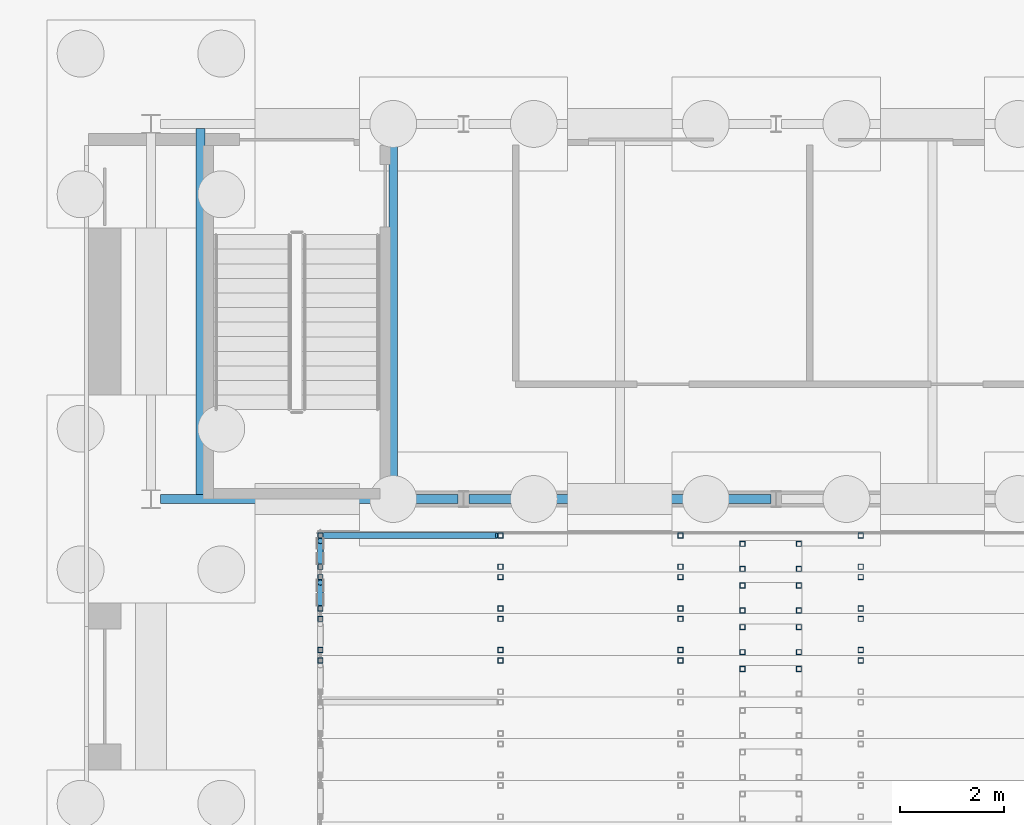
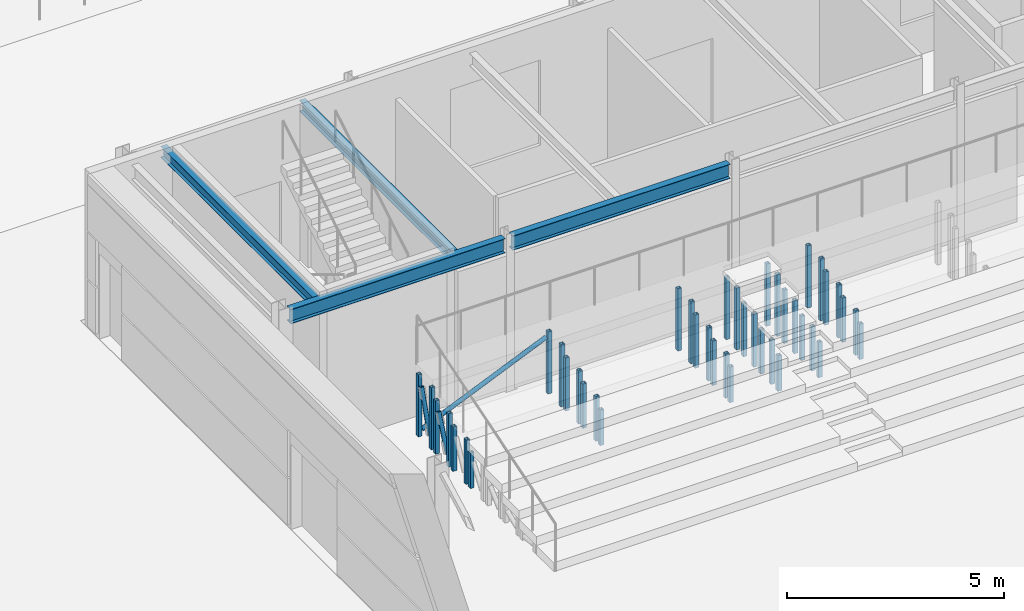
# One storey, part 44 of 139: 45 members, 4 beams.
"""IFC4 building model written with IfcOpenShell, lengths in metres."""

from ifc_helpers import new_model, si_unit, direction, frame, origin, origin_2d, place, context, subcontext, project, spatial, hollow_rectangle, hollow_circle, i_section, extrude, material, material_profile, profile_set, type_object, element, save


model = new_model("IFC4")

# Units and contexts
model_context = context("Model", 3, precision=1e-05, world=origin(), true_north=direction((0.0, 1.0)))
body_context = subcontext(model_context, "Body", "Model", "MODEL_VIEW")
ifc_project = project(units=[si_unit("LENGTHUNIT", "METRE"), si_unit("AREAUNIT", "SQUARE_METRE"), si_unit("VOLUMEUNIT", "CUBIC_METRE"), si_unit("PLANEANGLEUNIT", "RADIAN"), si_unit("MASSUNIT", "GRAM", prefix="KILO")], contexts=[model_context])

# Site, building, storey
site_placement = place(None, origin())
site = spatial("IfcSite", under=ifc_project, at=site_placement, CompositionType="ELEMENT")
building_placement = place(site_placement, origin())
building = spatial("IfcBuilding", under=site, at=building_placement, Name="Verrick Yard Athletic Hall", CompositionType="ELEMENT")
storey_placement = place(building_placement, origin())
storey = spatial("IfcBuildingStorey", under=building, at=storey_placement, Name="L00", CompositionType="ELEMENT", Elevation=0.0)

# Beams
ifc_material_1 = material(Name="Structural steel 350W (CSA G40.21)", Category="steel")
ifc_material_profile_1 = material_profile(ifc_material_1, i_section(OverallWidth=0.177978515625, OverallDepth=0.406982421875, WebThickness=0.0078125, FlangeThickness=0.0126953125, at=origin_2d()), Name="W410x60")
ifc_profile_set_1 = profile_set([ifc_material_profile_1], Name="Structural steel 350W (CSA G40.21)")
beam_type_1 = type_object("IfcBeamType", Name="HB girder W410x60", PredefinedType="BEAM", material=ifc_profile_set_1)
beam_1_placement = place(storey_placement, frame((121.784423828125, 100.800048828125, 4.04638671875), z_axis=(1.0, 0.0, 0.0), x_axis=(0.0, 1.0, 0.0)))
element("IfcBeam", 1, at=beam_1_placement, inside=storey, type_object=beam_type_1, Name="HB-GB-A-L01-S1", PredefinedType="BEAM", context=body_context, shape_type="SweptSolid", body=[
    extrude(i_section(OverallWidth=0.177978515625, OverallDepth=0.406982421875, WebThickness=0.0078125, FlangeThickness=0.0126953125, at=origin_2d()), origin(), (0.0, 0.0, 1.0), 5.713134765625),
])
beam_2_placement = place(storey_placement, frame((127.702392578125, 100.800048828125, 4.04638671875), z_axis=(1.0, 0.0, 0.0), x_axis=(0.0, 1.0, 0.0)))
element("IfcBeam", 2, at=beam_2_placement, inside=storey, type_object=beam_type_1, Name="HB-GB-A-L01-S2", PredefinedType="BEAM", context=body_context, shape_type="SweptSolid", body=[
    extrude(i_section(OverallWidth=0.177978515625, OverallDepth=0.406982421875, WebThickness=0.0078125, FlangeThickness=0.0126953125, at=origin_2d()), origin(), (0.0, 0.0, 1.0), 5.795166015625),
])

# Members
ifc_material_2 = material(Name="Structural steel HSS Class C 350W (CSA G40.20/G40.21)", Category="steel")
ifc_material_profile_2 = material_profile(ifc_material_2, hollow_circle(Radius=0.05712890625, WallThickness=0.00634765625, at=origin_2d()), Name="HSS114x6.4")
ifc_profile_set_2 = profile_set([ifc_material_profile_2], Name="Structural steel HSS Class C 350W (CSA G40.20/G40.21)")
member_type_1 = type_object("IfcMemberType", Name="HB roof brace HSS114x6.4", PredefinedType="BRACE", material=ifc_profile_set_2)
member_1_placement = place(storey_placement, frame((124.850830078125, 98.803466796875, 0.277099609375), z_axis=(0.0, 0.383768953832, 0.923429147295), x_axis=(-1.0, 0.0, 0.0)))
element("IfcMember", 3, at=member_1_placement, inside=storey, type_object=member_type_1, Name="HB-BRS-RSA1-a7", PredefinedType="BRACE", context=body_context, shape_type="SweptSolid", body=[
    extrude(hollow_circle(Radius=0.05712890625, WallThickness=0.00634765625, at=origin_2d()), origin(), (0.0, 0.0, 1.0), 1.024169921875),
])
member_2_placement = place(storey_placement, frame((124.850830078125, 99.604736328125, 0.30712890625), z_axis=(0.0, 0.325057042805, 0.945694410961), x_axis=(-1.0, 0.0, 0.0)))
element("IfcMember", 4, at=member_2_placement, inside=storey, type_object=member_type_1, Name="HB-BRS-RSA1-a8", PredefinedType="BRACE", context=body_context, shape_type="SweptSolid", body=[
    extrude(hollow_circle(Radius=0.05712890625, WallThickness=0.00634765625, at=origin_2d()), origin(), (0.0, 0.0, 1.0), 1.200927734375),
])
member_3_placement = place(storey_placement, frame((124.92431640625, 100.10009765625, 0.15966796875), z_axis=(0.917982276366, 0.0, 0.396621406732), x_axis=(0.0, 1.0, 0.0)))
element("IfcMember", 5, at=member_3_placement, inside=storey, type_object=member_type_1, Name="HB-BRL-RSA1-a8", PredefinedType="BRACE", context=body_context, shape_type="SweptSolid", body=[
    extrude(hollow_circle(Radius=0.05712890625, WallThickness=0.00634765625, at=origin_2d()), origin(), (0.0, 0.0, 1.0), 3.607177734375),
])
ifc_material_profile_3 = material_profile(ifc_material_2, hollow_rectangle(XDim=0.1015625, YDim=0.1015625, WallThickness=0.00634765625, at=origin_2d()), Name="HSS102x102x6.4")
ifc_profile_set_3 = profile_set([ifc_material_profile_3], Name="Structural steel HSS Class C 350W (CSA G40.20/G40.21)")
member_type_2 = type_object("IfcMemberType", Name="HB seating post HSS102x102x6.4", PredefinedType="POST", material=ifc_profile_set_3)
for number, where, z_axis, x_axis, name in (
    (6, (132.956298828125, 97.5400390625, 0.0), (0.0, 0.0, 1.0), (0.0, 1.0, 0.0), "HB-SP-RSA1-A1S5c"),
    (7, (134.036376953125, 97.5400390625, 0.0), (0.0, 0.0, 1.0), (0.0, 1.0, 0.0), "HB-SP-RSA1-A1S5d"),
    (8, (124.850830078125, 97.699951171875, 0.0), (0.0, 0.0, 1.0), (0.0, 1.0, 0.0), "HB-SP-RSA1-T5b1"),
    (9, (128.30908203125, 97.699951171875, 0.0), (0.0, 0.0, 1.0), (0.0, 1.0, 0.0), "HB-SP-RSA1-T5b2"),
    (10, (131.76708984375, 97.699951171875, 0.0), (0.0, 0.0, 1.0), (0.0, 1.0, 0.0), "HB-SP-RSA1-T5b3"),
    (11, (135.225341796875, 97.699951171875, 0.0), (0.0, 0.0, 1.0), (0.0, 1.0, 0.0), "HB-SP-RSA1-T5b4"),
):
    element("IfcMember", number, at=place(storey_placement, frame(where, z_axis=z_axis, x_axis=x_axis)), inside=storey, type_object=member_type_2, Name=name, PredefinedType="POST", context=body_context, shape_type="SweptSolid", body=[
        extrude(hollow_rectangle(XDim=0.1015625, YDim=0.1015625, WallThickness=0.00634765625, at=origin_2d()), origin(), (0.0, 0.0, 1.0), 1.0),
    ])
for number, where, z_axis, x_axis, name in (
    (12, (132.956298828125, 97.860107421875, 0.0), (0.0, 0.0, 1.0), (0.0, 1.0, 0.0), "HB-SP-RSA1-A1S6a"),
    (13, (134.036376953125, 97.860107421875, 0.0), (0.0, 0.0, 1.0), (0.0, 1.0, 0.0), "HB-SP-RSA1-A1S6b"),
    (14, (132.956298828125, 98.340087890625, 0.0), (0.0, 0.0, 1.0), (0.0, 1.0, 0.0), "HB-SP-RSA1-A1S6c"),
    (15, (134.036376953125, 98.340087890625, 0.0), (0.0, 0.0, 1.0), (0.0, 1.0, 0.0), "HB-SP-RSA1-A1S6d"),
    (16, (124.850830078125, 97.89990234375, 0.0), (0.0, 0.0, 1.0), (0.0, 1.0, 0.0), "HB-SP-RSA1-T6f1"),
    (17, (128.30908203125, 97.89990234375, 0.0), (0.0, 0.0, 1.0), (0.0, 1.0, 0.0), "HB-SP-RSA1-T6f2"),
    (18, (131.76708984375, 97.89990234375, 0.0), (0.0, 0.0, 1.0), (0.0, 1.0, 0.0), "HB-SP-RSA1-T6f3"),
    (19, (135.225341796875, 97.89990234375, 0.0), (0.0, 0.0, 1.0), (0.0, 1.0, 0.0), "HB-SP-RSA1-T6f4"),
    (20, (124.850830078125, 98.5, 0.0), (0.0, 0.0, 1.0), (0.0, 1.0, 0.0), "HB-SP-RSA1-T6b1"),
    (21, (128.30908203125, 98.5, 0.0), (0.0, 0.0, 1.0), (0.0, 1.0, 0.0), "HB-SP-RSA1-T6b2"),
    (22, (131.76708984375, 98.5, 0.0), (0.0, 0.0, 1.0), (0.0, 1.0, 0.0), "HB-SP-RSA1-T6b3"),
    (23, (135.225341796875, 98.5, 0.0), (0.0, 0.0, 1.0), (0.0, 1.0, 0.0), "HB-SP-RSA1-T6b4"),
):
    element("IfcMember", number, at=place(storey_placement, frame(where, z_axis=z_axis, x_axis=x_axis)), inside=storey, type_object=member_type_2, Name=name, PredefinedType="POST", context=body_context, shape_type="SweptSolid", body=[
        extrude(hollow_rectangle(XDim=0.1015625, YDim=0.1015625, WallThickness=0.00634765625, at=origin_2d()), origin(), (0.0, 0.0, 1.0), 1.25),
    ])
for number, where, z_axis, x_axis, name in (
    (24, (132.956298828125, 98.659912109375, 0.0), (0.0, 0.0, 1.0), (0.0, 1.0, 0.0), "HB-SP-RSA1-A1S7a"),
    (25, (134.036376953125, 98.659912109375, 0.0), (0.0, 0.0, 1.0), (0.0, 1.0, 0.0), "HB-SP-RSA1-A1S7b"),
    (26, (132.956298828125, 99.139892578125, 0.0), (0.0, 0.0, 1.0), (0.0, 1.0, 0.0), "HB-SP-RSA1-A1S7c"),
    (27, (134.036376953125, 99.139892578125, 0.0), (0.0, 0.0, 1.0), (0.0, 1.0, 0.0), "HB-SP-RSA1-A1S7d"),
    (28, (124.850830078125, 98.699951171875, 0.0), (0.0, 0.0, 1.0), (0.0, 1.0, 0.0), "HB-SP-RSA1-T7f1"),
    (29, (128.30908203125, 98.699951171875, 0.0), (0.0, 0.0, 1.0), (0.0, 1.0, 0.0), "HB-SP-RSA1-T7f2"),
    (30, (131.76708984375, 98.699951171875, 0.0), (0.0, 0.0, 1.0), (0.0, 1.0, 0.0), "HB-SP-RSA1-T7f3"),
    (31, (135.225341796875, 98.699951171875, 0.0), (0.0, 0.0, 1.0), (0.0, 1.0, 0.0), "HB-SP-RSA1-T7f4"),
    (32, (124.850830078125, 99.300048828125, 0.0), (0.0, 0.0, 1.0), (0.0, 1.0, 0.0), "HB-SP-RSA1-T7b1"),
    (33, (128.30908203125, 99.300048828125, 0.0), (0.0, 0.0, 1.0), (0.0, 1.0, 0.0), "HB-SP-RSA1-T7b2"),
    (34, (131.76708984375, 99.300048828125, 0.0), (0.0, 0.0, 1.0), (0.0, 1.0, 0.0), "HB-SP-RSA1-T7b3"),
    (35, (135.225341796875, 99.300048828125, 0.0), (0.0, 0.0, 1.0), (0.0, 1.0, 0.0), "HB-SP-RSA1-T7b4"),
):
    element("IfcMember", number, at=place(storey_placement, frame(where, z_axis=z_axis, x_axis=x_axis)), inside=storey, type_object=member_type_2, Name=name, PredefinedType="POST", context=body_context, shape_type="SweptSolid", body=[
        extrude(hollow_rectangle(XDim=0.1015625, YDim=0.1015625, WallThickness=0.00634765625, at=origin_2d()), origin(), (0.0, 0.0, 1.0), 1.5),
    ])
for number, where, z_axis, x_axis, name in (
    (36, (132.956298828125, 99.4599609375, 0.0), (0.0, 0.0, 1.0), (0.0, 1.0, 0.0), "HB-SP-RSA1-A1S8a"),
    (37, (134.036376953125, 99.4599609375, 0.0), (0.0, 0.0, 1.0), (0.0, 1.0, 0.0), "HB-SP-RSA1-A1S8b"),
    (38, (132.956298828125, 99.93994140625, 0.0), (0.0, 0.0, 1.0), (0.0, 1.0, 0.0), "HB-SP-RSA1-A1S8c"),
    (39, (134.036376953125, 99.93994140625, 0.0), (0.0, 0.0, 1.0), (0.0, 1.0, 0.0), "HB-SP-RSA1-A1S8d"),
    (40, (124.850830078125, 99.5, 0.0), (0.0, 0.0, 1.0), (0.0, 1.0, 0.0), "HB-SP-RSA1-T8f1"),
    (41, (128.30908203125, 99.5, 0.0), (0.0, 0.0, 1.0), (0.0, 1.0, 0.0), "HB-SP-RSA1-T8f2"),
    (42, (131.76708984375, 99.5, 0.0), (0.0, 0.0, 1.0), (0.0, 1.0, 0.0), "HB-SP-RSA1-T8f3"),
    (43, (135.225341796875, 99.5, 0.0), (0.0, 0.0, 1.0), (0.0, 1.0, 0.0), "HB-SP-RSA1-T8f4"),
    (44, (124.850830078125, 100.10009765625, 0.0), (0.0, 0.0, 1.0), (0.0, 1.0, 0.0), "HB-SP-RSA1-T8b1"),
    (45, (128.30908203125, 100.10009765625, 0.0), (0.0, 0.0, 1.0), (0.0, 1.0, 0.0), "HB-SP-RSA1-T8b2"),
    (46, (131.76708984375, 100.10009765625, 0.0), (0.0, 0.0, 1.0), (0.0, 1.0, 0.0), "HB-SP-RSA1-T8b3"),
    (47, (135.225341796875, 100.10009765625, 0.0), (0.0, 0.0, 1.0), (0.0, 1.0, 0.0), "HB-SP-RSA1-T8b4"),
):
    element("IfcMember", number, at=place(storey_placement, frame(where, z_axis=z_axis, x_axis=x_axis)), inside=storey, type_object=member_type_2, Name=name, PredefinedType="POST", context=body_context, shape_type="SweptSolid", body=[
        extrude(hollow_rectangle(XDim=0.1015625, YDim=0.1015625, WallThickness=0.00634765625, at=origin_2d()), origin(), (0.0, 0.0, 1.0), 1.75),
    ])

# Beams
ifc_material_profile_4 = material_profile(ifc_material_1, i_section(OverallWidth=0.1650390625, OverallDepth=0.31005859375, WebThickness=0.005859375, FlangeThickness=0.009765625, at=origin_2d()), Name="W310x39")
ifc_profile_set_4 = profile_set([ifc_material_profile_4], Name="Structural steel 350W (CSA G40.21)")
beam_type_2 = type_object("IfcBeamType", Name="HB trimmer beam W310x39", PredefinedType="BEAM", material=ifc_profile_set_4)
for number, where, z_axis, x_axis, name in (
    (48, (122.550048828125, 100.888916015625, 4.094970703125), (0.0, 1.0, 0.0), (-1.0, 0.0, 0.0), "HB-TB-A-1a"),
    (49, (126.25, 100.888916015625, 4.094970703125), (0.0, 1.0, 0.0), (-1.0, 0.0, 0.0), "HB-TB-A-1b"),
):
    element("IfcBeam", number, at=place(storey_placement, frame(where, z_axis=z_axis, x_axis=x_axis)), inside=storey, type_object=beam_type_2, Name=name, PredefinedType="BEAM", context=body_context, shape_type="SweptSolid", body=[
        extrude(i_section(OverallWidth=0.1650390625, OverallDepth=0.31005859375, WebThickness=0.005859375, FlangeThickness=0.009765625, at=origin_2d()), origin(), (0.0, 0.0, 1.0), 7.02197265625),
    ])

save(model, "model.ifc")
